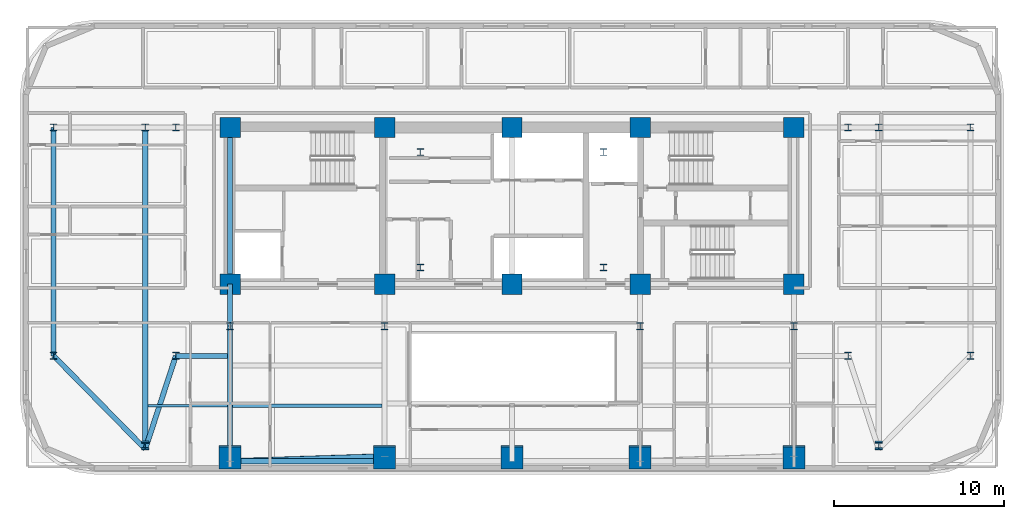
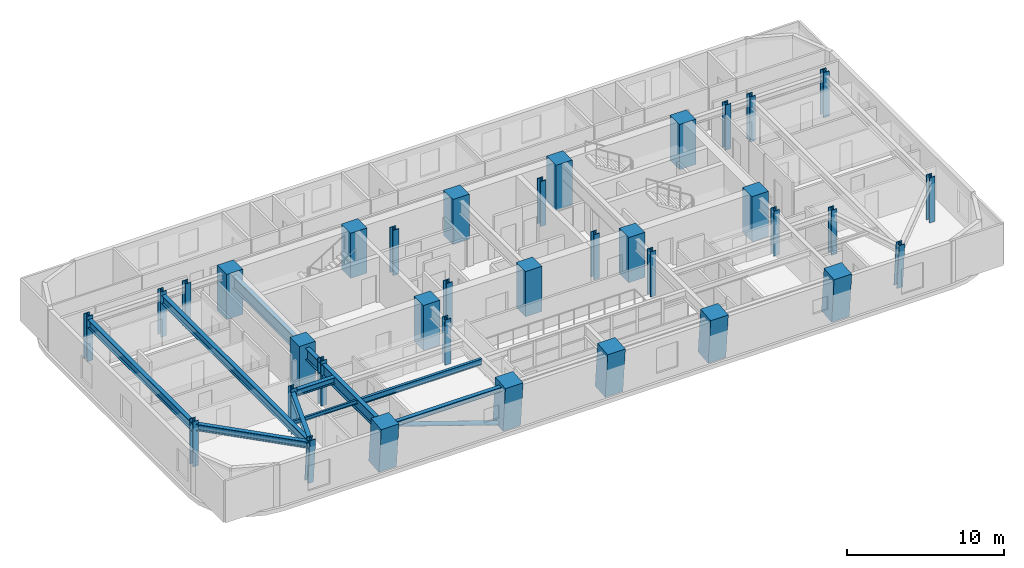
# One storey, part 1 of 16: 35 columns, 11 beams, 1 member.
"""IFC4 building model written with IfcOpenShell, lengths in metres."""

from ifc_helpers import new_model, si_unit, direction, frame, origin, origin_2d, place, context, subcontext, project, spatial, rectangle, hollow_circle, i_section, extrude, material, material_profile, profile_set, type_object, element, save


model = new_model("IFC4")

# Units and contexts
model_context = context("Model", 3, precision=1e-05, world=origin(), true_north=direction((0.0, 1.0)))
body_context = subcontext(model_context, "Body", "Model", "MODEL_VIEW")
ifc_project = project(units=[si_unit("LENGTHUNIT", "METRE"), si_unit("AREAUNIT", "SQUARE_METRE"), si_unit("VOLUMEUNIT", "CUBIC_METRE"), si_unit("PLANEANGLEUNIT", "RADIAN"), si_unit("MASSUNIT", "GRAM", prefix="KILO")], contexts=[model_context])

# Site, building, storey
site_placement = place(None, origin())
site = spatial("IfcSite", under=ifc_project, at=site_placement, CompositionType="ELEMENT")
building_placement = place(site_placement, origin())
building = spatial("IfcBuilding", under=site, at=building_placement, Name="Zarnavel Station Tower", CompositionType="ELEMENT")
storey_placement = place(building_placement, frame((0.0, 0.0, 94.300048828125)))
storey = spatial("IfcBuildingStorey", under=building, at=storey_placement, Name="L25", CompositionType="ELEMENT", Elevation=94.300048828125)

# Columns
ifc_material_1 = material(Name="Steel S460M", Category="steel")
ifc_material_profile_1 = material_profile(ifc_material_1, i_section(OverallWidth=0.41796875, OverallDepth=0.431884765625, WebThickness=0.034912109375, FlangeThickness=0.055908203125, FilletRadius=0.014892578125, at=origin_2d()), Name="HD400x421")
ifc_profile_set_1 = profile_set([ifc_material_profile_1], Name="Steel S460M")
column_type_1 = type_object("IfcColumnType", Name="EC_HD421", PredefinedType="COLUMN", material=ifc_profile_set_1)
for number, where, z_axis, x_axis, name in (
    (1, (1.800048828125, 23.60009765625, 0.0), (0.0, 0.0, 1.0), (1.0, 0.0, 0.0), "L25 Outer Wing South Column 1"),
    (2, (1.800048828125, 37.050048828125, 0.0), (0.0, 0.0, 1.0), (1.0, 0.0, 0.0), "L25 Outer Wing North Column 1"),
):
    element("IfcColumn", number, at=place(storey_placement, frame(where, z_axis=z_axis, x_axis=x_axis)), inside=storey, type_object=column_type_1, Name=name, PredefinedType="COLUMN", context=body_context, shape_type="SweptSolid", body=[
        extrude(i_section(OverallWidth=0.41796875, OverallDepth=0.431884765625, WebThickness=0.034912109375, FlangeThickness=0.055908203125, FilletRadius=0.014892578125, at=origin_2d()), origin(), (0.0, 0.0, 1.0), 3.5),
    ])
for number, where, z_axis, x_axis, name in (
    (3, (7.199951171875, 18.3662109375, 0.0), (0.0, -0.079891690793, 0.996803550226), (1.0, 0.0, 0.0), "L25 Raked Wing Column 2"),
    (4, (50.39990234375, 18.3662109375, 0.0), (0.0, -0.079891690793, 0.996803550226), (1.0, 0.0, 0.0), "L25 Raked Wing Column 3"),
):
    element("IfcColumn", number, at=place(storey_placement, frame(where, z_axis=z_axis, x_axis=x_axis)), inside=storey, type_object=column_type_1, Name=name, PredefinedType="COLUMN", context=body_context, shape_type="SweptSolid", body=[
        extrude(i_section(OverallWidth=0.41796875, OverallDepth=0.431884765625, WebThickness=0.034912109375, FlangeThickness=0.055908203125, FilletRadius=0.014892578125, at=origin_2d()), origin(), (0.0, 0.0, 1.0), 3.51123046875),
    ])
for number, where, z_axis, x_axis, name in (
    (5, (55.800048828125, 23.60009765625, 0.0), (0.0, 0.0, 1.0), (1.0, 0.0, 0.0), "L25 Outer Wing South Column 4"),
    (6, (55.800048828125, 37.050048828125, 0.0), (0.0, 0.0, 1.0), (1.0, 0.0, 0.0), "L25 Outer Wing North Column 4"),
):
    element("IfcColumn", number, at=place(storey_placement, frame(where, z_axis=z_axis, x_axis=x_axis)), inside=storey, type_object=column_type_1, Name=name, PredefinedType="COLUMN", context=body_context, shape_type="SweptSolid", body=[
        extrude(i_section(OverallWidth=0.41796875, OverallDepth=0.431884765625, WebThickness=0.034912109375, FlangeThickness=0.055908203125, FilletRadius=0.014892578125, at=origin_2d()), origin(), (0.0, 0.0, 1.0), 3.5),
    ])
ifc_material_2 = material(Name="Steel S460M", Category="steel")
ifc_material_profile_2 = material_profile(ifc_material_2, i_section(OverallWidth=0.41796875, OverallDepth=0.431884765625, WebThickness=0.034912109375, FlangeThickness=0.055908203125, FilletRadius=0.014892578125, at=origin_2d()), Name="HD400x421")
ifc_profile_set_2 = profile_set([ifc_material_profile_2], Name="Steel S460M")
column_type_2 = type_object("IfcColumnType", Name="IC_HD421", PredefinedType="COLUMN", material=ifc_profile_set_2)
for number, where, z_axis, x_axis, name in (
    (7, (23.39990234375, 28.800048828125, 0.0), (0.0, 0.0, 1.0), (1.0, 0.0, 0.0), "L25 Mast Spine Column 1"),
    (8, (34.199951171875, 28.800048828125, 0.0), (0.0, 0.0, 1.0), (1.0, 0.0, 0.0), "L25 Mast Spine Column 2"),
    (9, (34.199951171875, 35.60009765625, 0.0), (0.0, 0.0, 1.0), (1.0, 0.0, 0.0), "L25 Mast Spine Column 3"),
    (10, (23.39990234375, 35.60009765625, 0.0), (0.0, 0.0, 1.0), (1.0, 0.0, 0.0), "L25 Mast Spine Column 4"),
    (11, (12.199951171875, 25.35009765625, 0.0), (0.0, 0.0, 1.0), (1.0, 0.0, 0.0), "L25 Inner Spine Column 1"),
    (12, (21.300048828125, 25.35009765625, 0.0), (0.0, 0.0, 1.0), (1.0, 0.0, 0.0), "L25 Inner Spine Column 2"),
    (13, (36.35009765625, 25.35009765625, 0.0), (0.0, 0.0, 1.0), (1.0, 0.0, 0.0), "L25 Inner Spine Column 4"),
    (14, (45.39990234375, 25.35009765625, 0.0), (0.0, 0.0, 1.0), (1.0, 0.0, 0.0), "L25 Inner Spine Column 5"),
    (15, (9.0, 23.60009765625, 0.0), (0.0, 0.0, 1.0), (1.0, 0.0, 0.0), "L25 Inner Wing Spine Column 1-1"),
    (16, (9.0, 37.050048828125, 0.0), (0.0, 0.0, 1.0), (1.0, 0.0, 0.0), "L25 Inner Wing Spine Column 1-2"),
    (17, (48.60009765625, 23.60009765625, 0.0), (0.0, 0.0, 1.0), (1.0, 0.0, 0.0), "L25 Inner Wing Spine Column 2-1"),
    (18, (48.60009765625, 37.050048828125, 0.0), (0.0, 0.0, 1.0), (1.0, 0.0, 0.0), "L25 Inner Wing Spine Column 2-2"),
    (19, (7.199951171875, 37.050048828125, 0.0), (0.0, 0.0, 1.0), (1.0, 0.0, 0.0), "L25 Outer Wing North Column 2"),
    (20, (50.39990234375, 37.050048828125, 0.0), (0.0, 0.0, 1.0), (1.0, 0.0, 0.0), "L25 Outer Wing North Column 3"),
):
    element("IfcColumn", number, at=place(storey_placement, frame(where, z_axis=z_axis, x_axis=x_axis)), inside=storey, type_object=column_type_2, Name=name, PredefinedType="COLUMN", context=body_context, shape_type="SweptSolid", body=[
        extrude(i_section(OverallWidth=0.41796875, OverallDepth=0.431884765625, WebThickness=0.034912109375, FlangeThickness=0.055908203125, FilletRadius=0.014892578125, at=origin_2d()), origin(), (0.0, 0.0, 1.0), 3.5),
    ])
ifc_material_3 = material(Name="Concrete C50/60", Category="concrete")
ifc_material_profile_3 = material_profile(ifc_material_3, rectangle(XDim=1.199951171875, YDim=1.199951171875, at=origin_2d()), Name="RC1200x1200")
ifc_profile_set_3 = profile_set([ifc_material_profile_3], Name="Concrete C50/60")
column_type_3 = type_object("IfcColumnType", Name="IC_RC1200", PredefinedType="COLUMN", material=ifc_profile_set_3)
for number, where, z_axis, x_axis, name in (
    (21, (12.199951171875, 27.820068359375, 0.0), (0.0, 0.0, 1.0), (1.0, 0.0, 0.0), "L25 Core Spine Column 1-1"),
    (22, (12.199951171875, 37.050048828125, 0.0), (0.0, 0.0, 1.0), (1.0, 0.0, 0.0), "L25 Core Spine Column 1-2"),
    (23, (21.300048828125, 27.820068359375, 0.0), (0.0, 0.0, 1.0), (1.0, 0.0, 0.0), "L25 Core Spine Column 2-1"),
    (24, (21.300048828125, 37.050048828125, 0.0), (0.0, 0.0, 1.0), (1.0, 0.0, 0.0), "L25 Core Spine Column 2-2"),
    (25, (28.800048828125, 27.820068359375, 0.0), (0.0, 0.0, 1.0), (1.0, 0.0, 0.0), "L25 Core Spine Column 3-1"),
    (26, (28.800048828125, 37.050048828125, 0.0), (0.0, 0.0, 1.0), (1.0, 0.0, 0.0), "L25 Core Spine Column 3-2"),
    (27, (36.35009765625, 27.820068359375, 0.0), (0.0, 0.0, 1.0), (1.0, 0.0, 0.0), "L25 Core Spine Column 4-1"),
    (28, (36.35009765625, 37.050048828125, 0.0), (0.0, 0.0, 1.0), (1.0, 0.0, 0.0), "L25 Core Spine Column 4-2"),
    (29, (45.39990234375, 27.820068359375, 0.0), (0.0, 0.0, 1.0), (1.0, 0.0, 0.0), "L25 Core Spine Column 5-1"),
    (30, (45.39990234375, 37.050048828125, 0.0), (0.0, 0.0, 1.0), (1.0, 0.0, 0.0), "L25 Core Spine Column 5-2"),
):
    element("IfcColumn", number, at=place(storey_placement, frame(where, z_axis=z_axis, x_axis=x_axis)), inside=storey, type_object=column_type_3, Name=name, PredefinedType="COLUMN", context=body_context, shape_type="SweptSolid", body=[
        extrude(rectangle(XDim=1.199951171875, YDim=1.199951171875, at=origin_2d()), origin(), (0.0, 0.0, 1.0), 3.5),
    ])
ifc_material_4 = material(Name="Concrete C60/75", Category="concrete")
ifc_material_profile_4 = material_profile(ifc_material_4, rectangle(XDim=1.300048828125, YDim=1.300048828125, at=origin_2d()), Name="RC1300x1300")
ifc_profile_set_4 = profile_set([ifc_material_profile_4], Name="Concrete C60/75")
column_type_4 = type_object("IfcColumnType", Name="MC_RC1300", PredefinedType="COLUMN", material=ifc_profile_set_4)
for number, where, z_axis, x_axis, name in (
    (31, (12.199951171875, 17.6826171875, 0.0), (0.0, -0.090310252801, 0.995913680114), (1.0, 0.0, 0.0), "L25 Raked South Mega-Column 1"),
    (32, (21.300048828125, 17.6826171875, 0.0), (0.0, -0.090310252801, 0.995913680114), (1.0, 0.0, 0.0), "L25 Raked South Mega-Column 2"),
    (33, (28.800048828125, 17.6826171875, 0.0), (0.0, -0.090310252801, 0.995913680114), (1.0, 0.0, 0.0), "L25 Raked South Mega-Column 3"),
    (34, (36.35009765625, 17.6826171875, 0.0), (0.0, -0.090310252801, 0.995913680114), (1.0, 0.0, 0.0), "L25 Raked South Mega-Column 4"),
    (35, (45.39990234375, 17.6826171875, 0.0), (0.0, -0.090310252801, 0.995913680114), (1.0, 0.0, 0.0), "L25 Raked South Mega-Column 5"),
):
    element("IfcColumn", number, at=place(storey_placement, frame(where, z_axis=z_axis, x_axis=x_axis)), inside=storey, type_object=column_type_4, Name=name, PredefinedType="COLUMN", context=body_context, shape_type="SweptSolid", body=[
        extrude(rectangle(XDim=1.300048828125, YDim=1.300048828125, at=origin_2d()), origin(), (0.0, 0.0, 1.0), 3.514404296875),
    ])

# Member
ifc_material_5 = material(Name="Steel S355J2", Category="steel")
ifc_material_profile_5 = material_profile(ifc_material_5, hollow_circle(Radius=0.161865234375, WallThickness=0.012451171875, at=origin_2d()), Name="CHS323.9x12.5")
ifc_profile_set_5 = profile_set([ifc_material_profile_5], Name="Steel S355J2")
member_type = type_object("IfcMemberType", Name="DB_EXT_CHS324", PredefinedType="BRACE", material=ifc_profile_set_5)
member_placement = place(storey_placement, frame((21.300048828125, 17.6826171875, 0.0), z_axis=(-0.941635675338, -0.030390827854, 0.335259082669), x_axis=(0.032257711549, -0.999479584607, 0.0)))
element("IfcMember", 36, at=member_placement, inside=storey, type_object=member_type, Name="L25 Persian Exterior Diagonal Frame Brace 1", PredefinedType="BRACE", context=body_context, shape_type="SweptSolid", body=[
    extrude(hollow_circle(Radius=0.161865234375, WallThickness=0.012451171875, at=origin_2d()), origin(), (0.0, 0.0, 1.0), 9.6640625),
])

# Beams
ifc_material_6 = material(Name="Steel S355J2", Category="steel")
ifc_material_profile_6 = material_profile(ifc_material_6, i_section(OverallWidth=0.300048828125, OverallDepth=0.360107421875, WebThickness=0.012451171875, FlangeThickness=0.0224609375, FilletRadius=0.027099609375, at=origin_2d()), Name="HEB360")
ifc_profile_set_6 = profile_set([ifc_material_profile_6], Name="Steel S355J2")
beam_type_1 = type_object("IfcBeamType", Name="EB_HEB360", PredefinedType="SPANDREL", material=ifc_profile_set_6)
beam_1_placement = place(storey_placement, frame((12.199951171875, 17.388916015625, 3.06005859375), z_axis=(1.0, 0.0, 0.0), x_axis=(0.0, 1.0, 0.0)))
element("IfcBeam", 37, at=beam_1_placement, inside=storey, type_object=beam_type_1, Name="L25 South Raked Spandrel 1", PredefinedType="SPANDREL", context=body_context, shape_type="SweptSolid", body=[
    extrude(i_section(OverallWidth=0.300048828125, OverallDepth=0.360107421875, WebThickness=0.012451171875, FlangeThickness=0.0224609375, FilletRadius=0.027099609375, at=origin_2d()), origin(), (0.0, 0.0, 1.0), 9.10009765625),
])
ifc_material_7 = material(Name="Steel S355J2", Category="steel")
ifc_material_profile_7 = material_profile(ifc_material_7, i_section(OverallWidth=0.18994140625, OverallDepth=0.449951171875, WebThickness=0.009521484375, FlangeThickness=0.0146484375, FilletRadius=0.02099609375, at=origin_2d()), Name="IPE450")
ifc_profile_set_7 = profile_set([ifc_material_profile_7], Name="Steel S355J2")
beam_type_2 = type_object("IfcBeamType", Name="FB_IPE450", PredefinedType="BEAM", material=ifc_profile_set_7)
beam_2_placement = place(storey_placement, frame((12.344970703125, 20.6591796875, 3.014892578125), z_axis=(1.0, 0.0, 0.0), x_axis=(0.0, 1.0, 0.0)))
element("IfcBeam", 38, at=beam_2_placement, inside=storey, type_object=beam_type_2, Name="L25 West Bay Beam 1", PredefinedType="BEAM", context=body_context, shape_type="SweptSolid", body=[
    extrude(i_section(OverallWidth=0.18994140625, OverallDepth=0.449951171875, WebThickness=0.009521484375, FlangeThickness=0.0146484375, FilletRadius=0.02099609375, at=origin_2d()), origin(), (0.0, 0.0, 1.0), 8.81005859375),
])
ifc_material_8 = material(Name="Steel S355J2", Category="steel")
ifc_material_profile_8 = material_profile(ifc_material_8, i_section(OverallWidth=0.300048828125, OverallDepth=0.5, WebThickness=0.014404296875, FlangeThickness=0.028076171875, FilletRadius=0.027099609375, at=origin_2d()), Name="HEB500")
ifc_profile_set_8 = profile_set([ifc_material_profile_8], Name="Steel S355J2")
beam_type_3 = type_object("IfcBeamType", Name="FG_HEB500", PredefinedType="USERDEFINED", material=ifc_profile_set_8)
beam_3_placement = place(storey_placement, frame((1.800048828125, 23.60009765625, 2.989990234375), z_axis=(0.701011301794, -0.713150162839, 0.0), x_axis=(0.713150162839, 0.701011301794, 0.0)))
element("IfcBeam", 39, at=beam_3_placement, inside=storey, type_object=beam_type_3, Name="L25 West Wing South Tie 1", ObjectType="GIRDER", PredefinedType="USERDEFINED", context=body_context, shape_type="SweptSolid", body=[
    extrude(i_section(OverallWidth=0.300048828125, OverallDepth=0.5, WebThickness=0.014404296875, FlangeThickness=0.028076171875, FilletRadius=0.027099609375, at=origin_2d()), origin(), (0.0, 0.0, 1.0), 7.703125),
])
beam_4_placement = place(storey_placement, frame((7.199951171875, 18.106689453125, 2.989990234375), z_axis=(0.311383751353, 0.950284251892, 0.0), x_axis=(-0.950284251892, 0.311383751353, 0.0)))
element("IfcBeam", 40, at=beam_4_placement, inside=storey, type_object=beam_type_3, Name="L25 West Wing South Tie 2", ObjectType="GIRDER", PredefinedType="USERDEFINED", context=body_context, shape_type="SweptSolid", body=[
    extrude(i_section(OverallWidth=0.300048828125, OverallDepth=0.5, WebThickness=0.014404296875, FlangeThickness=0.028076171875, FilletRadius=0.027099609375, at=origin_2d()), origin(), (0.0, 0.0, 1.0), 5.78076171875),
])
beam_5_placement = place(storey_placement, frame((9.0, 23.60009765625, 2.989990234375), z_axis=(1.0, 0.0, 0.0), x_axis=(0.0, 1.0, 0.0)))
element("IfcBeam", 41, at=beam_5_placement, inside=storey, type_object=beam_type_3, Name="L25 West Wing South Tie 3", ObjectType="GIRDER", PredefinedType="USERDEFINED", context=body_context, shape_type="SweptSolid", body=[
    extrude(i_section(OverallWidth=0.300048828125, OverallDepth=0.5, WebThickness=0.014404296875, FlangeThickness=0.028076171875, FilletRadius=0.027099609375, at=origin_2d()), origin(), (0.0, 0.0, 1.0), 3.054931640625),
])
ifc_material_9 = material(Name="Steel S355J2", Category="steel")
ifc_material_profile_9 = material_profile(ifc_material_9, i_section(OverallWidth=0.300048828125, OverallDepth=0.64990234375, WebThickness=0.01611328125, FlangeThickness=0.031005859375, FilletRadius=0.027099609375, at=origin_2d()), Name="HEB650")
ifc_profile_set_9 = profile_set([ifc_material_profile_9], Name="Steel S355J2")
beam_type_4 = type_object("IfcBeamType", Name="FG_HEB650", PredefinedType="USERDEFINED", material=ifc_profile_set_9)
beam_6_placement = place(storey_placement, frame((1.800048828125, 23.60009765625, 2.9150390625), z_axis=(0.0, 1.0, 0.0), x_axis=(-1.0, 0.0, 0.0)))
element("IfcBeam", 42, at=beam_6_placement, inside=storey, type_object=beam_type_4, Name="L25 Wing NS Girder 1", ObjectType="GIRDER", PredefinedType="USERDEFINED", context=body_context, shape_type="SweptSolid", body=[
    extrude(i_section(OverallWidth=0.300048828125, OverallDepth=0.64990234375, WebThickness=0.01611328125, FlangeThickness=0.031005859375, FilletRadius=0.027099609375, at=origin_2d()), origin(), (0.0, 0.0, 1.0), 13.449951171875),
])
beam_7_placement = place(storey_placement, frame((7.199951171875, 18.106689453125, 2.9150390625), z_axis=(0.0, 1.0, 0.0), x_axis=(-1.0, 0.0, 0.0)))
element("IfcBeam", 43, at=beam_7_placement, inside=storey, type_object=beam_type_4, Name="L25 Wing NS Girder 2", ObjectType="GIRDER", PredefinedType="USERDEFINED", context=body_context, shape_type="SweptSolid", body=[
    extrude(i_section(OverallWidth=0.300048828125, OverallDepth=0.64990234375, WebThickness=0.01611328125, FlangeThickness=0.031005859375, FilletRadius=0.027099609375, at=origin_2d()), origin(), (0.0, 0.0, 1.0), 18.943359375),
])
ifc_material_10 = material(Name="Steel S355J2", Category="steel")
ifc_material_profile_10 = material_profile(ifc_material_10, i_section(OverallWidth=0.14990234375, OverallDepth=0.300048828125, WebThickness=0.007080078125, FlangeThickness=0.0107421875, FilletRadius=0.014892578125, at=origin_2d()), Name="IPE300")
ifc_profile_set_10 = profile_set([ifc_material_profile_10], Name="Steel S355J2")
beam_type_5 = type_object("IfcBeamType", Name="FJ_IPE300", PredefinedType="JOIST", material=ifc_profile_set_10)
beam_8_placement = place(storey_placement, frame((7.344970703125, 20.6591796875, 3.08984375), z_axis=(1.0, 0.0, 0.0), x_axis=(0.0, 1.0, 0.0)))
element("IfcBeam", 44, at=beam_8_placement, inside=storey, type_object=beam_type_5, Name="L25 West Wing Joist 1", PredefinedType="JOIST", context=body_context, shape_type="SweptSolid", body=[
    extrude(i_section(OverallWidth=0.14990234375, OverallDepth=0.300048828125, WebThickness=0.007080078125, FlangeThickness=0.0107421875, FilletRadius=0.014892578125, at=origin_2d()), origin(), (0.0, 0.0, 1.0), 4.7099609375),
])
ifc_material_11 = material(Name="Steel S460M", Category="steel")
ifc_material_profile_11 = material_profile(ifc_material_11, i_section(OverallWidth=0.302001953125, OverallDepth=1.008056640625, WebThickness=0.02099609375, FlangeThickness=0.0400390625, FilletRadius=0.030029296875, at=origin_2d()), Name="HEM1000")
ifc_profile_set_11 = profile_set([ifc_material_profile_11], Name="Steel S460M")
beam_type_6 = type_object("IfcBeamType", Name="TG_HEM1000", PredefinedType="USERDEFINED", material=ifc_profile_set_11)
beam_9_placement = place(storey_placement, frame((12.199951171875, 27.820068359375, 2.73583984375), z_axis=(0.0, 1.0, 0.0), x_axis=(-1.0, 0.0, 0.0)))
element("IfcBeam", 45, at=beam_9_placement, inside=storey, type_object=beam_type_6, Name="L25 Core Spine Coupling Girder 1", ObjectType="GIRDER", PredefinedType="USERDEFINED", context=body_context, shape_type="SweptSolid", body=[
    extrude(i_section(OverallWidth=0.302001953125, OverallDepth=1.008056640625, WebThickness=0.02099609375, FlangeThickness=0.0400390625, FilletRadius=0.030029296875, at=origin_2d()), origin(), (0.0, 0.0, 1.0), 9.22998046875),
])
ifc_material_12 = material(Name="Steel S460M", Category="steel")
ifc_material_profile_12 = material_profile(ifc_material_12, i_section(OverallWidth=0.302001953125, OverallDepth=0.909912109375, WebThickness=0.02099609375, FlangeThickness=0.0400390625, FilletRadius=0.030029296875, at=origin_2d()), Name="HEM900")
ifc_profile_set_12 = profile_set([ifc_material_profile_12], Name="Steel S460M")
beam_type_7 = type_object("IfcBeamType", Name="TG_HEM900", PredefinedType="USERDEFINED", material=ifc_profile_set_12)
beam_10_placement = place(storey_placement, frame((12.199951171875, 17.388916015625, 2.784912109375), z_axis=(0.0, 1.0, 0.0), x_axis=(-1.0, 0.0, 0.0)))
element("IfcBeam", 46, at=beam_10_placement, inside=storey, type_object=beam_type_7, Name="L25 South-Zone NS Girder 1", ObjectType="GIRDER", PredefinedType="USERDEFINED", context=body_context, shape_type="SweptSolid", body=[
    extrude(i_section(OverallWidth=0.302001953125, OverallDepth=0.909912109375, WebThickness=0.02099609375, FlangeThickness=0.0400390625, FilletRadius=0.030029296875, at=origin_2d()), origin(), (0.0, 0.0, 1.0), 7.961181640625),
])
beam_11_placement = place(storey_placement, frame((12.199951171875, 25.35009765625, 2.784912109375), z_axis=(0.0, 1.0, 0.0), x_axis=(-1.0, 0.0, 0.0)))
element("IfcBeam", 47, at=beam_11_placement, inside=storey, type_object=beam_type_7, Name="L25 Inner-Zone NS Girder 1", ObjectType="GIRDER", PredefinedType="USERDEFINED", context=body_context, shape_type="SweptSolid", body=[
    extrude(i_section(OverallWidth=0.302001953125, OverallDepth=0.909912109375, WebThickness=0.02099609375, FlangeThickness=0.0400390625, FilletRadius=0.030029296875, at=origin_2d()), origin(), (0.0, 0.0, 1.0), 2.469970703125),
])

save(model, "model.ifc")
